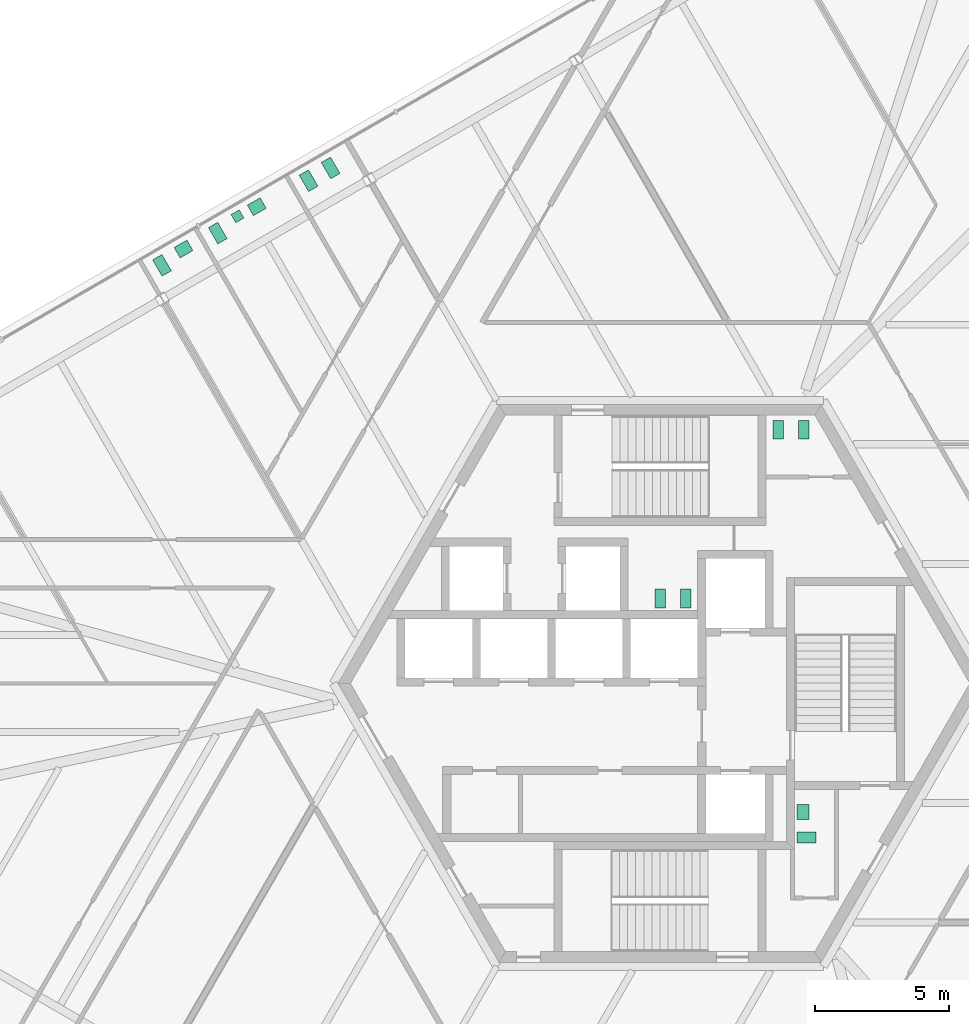
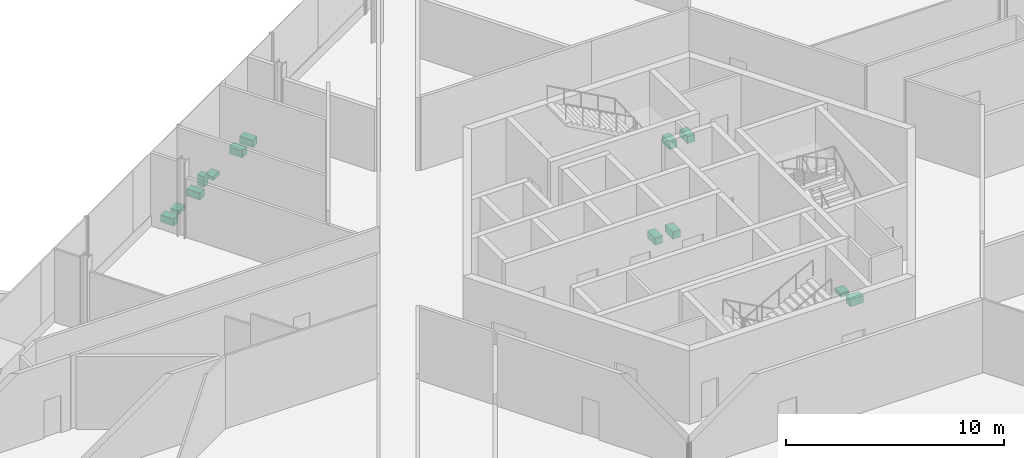
# One storey, part 17 of 17: 13 sanitary terminals.
"""IFC4 building model written with IfcOpenShell, lengths in metres."""

import ifcopenshell
import ifcopenshell.guid

model = None  # the IFC model being written
_history = None  # IfcOwnerHistory: only IFC2X3 demands one
_inside = {}  # id of a spatial element -> (the spatial element, [elements in it])
_under = {}  # id of a project, library or spatial element -> (it, [spatial elements below it])
_declared = {}  # id of a project -> (the project, [libraries it declares])
_typed = {}  # id of a type object -> (the type object, [elements of that type])
_made_of = {}  # id of a material, layer set ... -> (it, [elements and type objects made of it])


def new_model(schema):
    """Start an empty IFC model of exactly this schema.

    Asked for "IFC4X3", IfcOpenShell would pick the latest addendum, in which some entities
    have other attributes; the version numbers below select the first issue.
    IFC2X3 requires an IfcOwnerHistory on every rooted entity: one is made here for all.
    """
    global model, _history
    if schema == "IFC4X3":
        model = ifcopenshell.file(schema_version=(4, 3, 0, 0))
    else:
        model = ifcopenshell.file(schema=schema)
    _inside.clear()
    _under.clear()
    _declared.clear()
    _typed.clear()
    _made_of.clear()
    _history = None
    if model.schema == "IFC2X3":
        org = make("IfcOrganization", Name="unknown")
        user = make(
            "IfcPersonAndOrganization",
            ThePerson=make("IfcPerson", FamilyName="unknown"),
            TheOrganization=org,
        )
        app = make(
            "IfcApplication",
            ApplicationDeveloper=org,
            Version="unknown",
            ApplicationFullName="unknown",
            ApplicationIdentifier="unknown",
        )
        _history = make(
            "IfcOwnerHistory",
            OwningUser=user,
            OwningApplication=app,
            ChangeAction="ADDED",
            CreationDate=0,
        )
    return model


def make(cls, **values):
    """One entity of the class cls with the attributes given. An attribute that is None is left unset."""
    return model.create_entity(
        cls, **{name: value for name, value in values.items() if value is not None}
    )


def rooted(cls, **values):
    """An entity with a GlobalId (a new one), such as an element, a storey or a relation."""
    return make(cls, GlobalId=ifcopenshell.guid.new(), OwnerHistory=_history, **values)


def si_unit(unit_type, name, prefix=None):
    """IfcSIUnit, for example si_unit("LENGTHUNIT", "METRE", prefix="MILLI")."""
    return make("IfcSIUnit", UnitType=unit_type, Prefix=prefix, Name=name)


def assignment(units):
    """IfcUnitAssignment: the units of a project."""
    return None if units is None else make("IfcUnitAssignment", Units=units)


def point(xyz):
    """IfcCartesianPoint."""
    return None if xyz is None else make("IfcCartesianPoint", Coordinates=xyz)


def direction(xyz):
    """IfcDirection."""
    return None if xyz is None else make("IfcDirection", DirectionRatios=xyz)


def frame(location, z_axis=None, x_axis=None):
    """IfcAxis2Placement3D, a coordinate frame: its origin and axes. An axis left out is left unset."""
    return make(
        "IfcAxis2Placement3D",
        Location=point(location),
        Axis=direction(z_axis),
        RefDirection=direction(x_axis),
    )


def frame_2d(location, x_axis=None):
    """IfcAxis2Placement2D, a coordinate frame in the plane: its origin and x axis."""
    return make(
        "IfcAxis2Placement2D", Location=point(location), RefDirection=direction(x_axis)
    )


def origin():
    """The frame at (0, 0, 0) with its axes left unset."""
    return frame((0.0, 0.0, 0.0))


def origin_2d():
    """The frame at (0, 0) in the plane with its x axis left unset."""
    return frame_2d((0.0, 0.0))


def place(relative_to, where):
    """IfcLocalPlacement: puts the frame where relative to a parent placement (None: the world)."""
    return make(
        "IfcLocalPlacement", PlacementRelTo=relative_to, RelativePlacement=where
    )


def context(
    kind, dimensions, precision=None, world=None, true_north=None, identifier=None
):
    """IfcGeometricRepresentationContext, for example the 3D "Model" context."""
    return make(
        "IfcGeometricRepresentationContext",
        ContextIdentifier=identifier,
        ContextType=kind,
        CoordinateSpaceDimension=dimensions,
        Precision=precision,
        WorldCoordinateSystem=world,
        TrueNorth=true_north,
    )


def subcontext(parent, identifier, kind, view, scale=None):
    """IfcGeometricRepresentationSubContext, for example "Body" below "Model"."""
    return make(
        "IfcGeometricRepresentationSubContext",
        ContextIdentifier=identifier,
        ContextType=kind,
        ParentContext=parent,
        TargetScale=scale,
        TargetView=view,
    )


def project(units=None, contexts=None):
    """IfcProject with its units and contexts."""
    return rooted(
        "IfcProject",
        Name="project",
        RepresentationContexts=contexts,
        UnitsInContext=assignment(units),
    )


def spatial(cls, under=None, at=None, **own):
    """A site, building, storey or space (cls), placed at a placement, below another one or the project."""
    s = rooted(cls, ObjectPlacement=at, **own)
    if under is not None:
        _under.setdefault(under.id(), (under, []))[1].append(s)
    return s


def profile(cls, at=None, kind="AREA", **sizes):
    """A parametric profile (cls). Its sizes go by their IFC names, for example OverallWidth=200.0."""
    return make(cls, ProfileType=kind, Position=at, **sizes)


def rectangle(**sizes):
    """IfcRectangleProfileDef."""
    return profile("IfcRectangleProfileDef", **sizes)


def extrude(swept, where, along, depth):
    """IfcExtrudedAreaSolid: the profile swept, set in the frame where, extruded along a direction by depth."""
    return make(
        "IfcExtrudedAreaSolid",
        SweptArea=swept,
        Position=where,
        ExtrudedDirection=direction(along),
        Depth=depth,
    )


def shape(context_of_items, identifier, shape_type, items):
    """IfcShapeRepresentation: the items that make up one representation, for example the "Body"."""
    return make(
        "IfcShapeRepresentation",
        ContextOfItems=context_of_items,
        RepresentationIdentifier=identifier,
        RepresentationType=shape_type,
        Items=items,
    )


def source(mapping_origin, context_of_items, identifier, shape_type, items):
    """IfcRepresentationMap: a shape defined once, which mapped items show again and again."""
    return make(
        "IfcRepresentationMap",
        MappingOrigin=mapping_origin,
        MappedRepresentation=shape(context_of_items, identifier, shape_type, items),
    )


def transform(
    local_origin,
    x_axis=None,
    y_axis=None,
    z_axis=None,
    scale=None,
    scale2=None,
    scale3=None,
    uniform=True,
):
    """IfcCartesianTransformationOperator3D, or its non-uniform kind. x_axis, y_axis, z_axis: its Axis1, 2, 3."""
    if uniform:
        return make(
            "IfcCartesianTransformationOperator3D",
            Axis1=direction(x_axis),
            Axis2=direction(y_axis),
            LocalOrigin=point(local_origin),
            Scale=scale,
            Axis3=direction(z_axis),
        )
    return make(
        "IfcCartesianTransformationOperator3DnonUniform",
        Axis1=direction(x_axis),
        Axis2=direction(y_axis),
        LocalOrigin=point(local_origin),
        Scale=scale,
        Axis3=direction(z_axis),
        Scale2=scale2,
        Scale3=scale3,
    )


def mapped(mapping_source, mapping_target):
    """IfcMappedItem: shows the shape of a source again, moved by a transform."""
    return make(
        "IfcMappedItem", MappingSource=mapping_source, MappingTarget=mapping_target
    )


def material(Name=None, Category=None):
    """IfcMaterial."""
    return make("IfcMaterial", Name=Name, Category=Category)


def made_of(thing, what):
    """Note that an element or type object is made of a material, layer set ...; save() writes the relation."""
    if what is not None:
        _made_of.setdefault(what.id(), (what, []))[1].append(thing)
    return thing


def element(
    cls,
    number,
    at=None,
    inside=None,
    cuts=None,
    type_object=None,
    material=None,
    context=None,
    identifier="Body",
    shape_type=None,
    held_by="IfcProductDefinitionShape",
    body=None,
    shapes=None,
    **own,
):
    """One element of the class cls, such as IfcWall. Its Tag is "e" and its number.

    at: its placement. inside: the storey or other place that contains it. cuts: it is an
    opening in that element (IfcRelVoidsElement). A single representation is given by context,
    identifier, shape_type and body (its items); several are given by shapes. held_by: the class
    of the entity that holds the representations. save() writes the other relations.
    """
    e = rooted(cls, Tag="e%d" % number, ObjectPlacement=at, **own)
    if body is not None:
        shapes = [shape(context, identifier, shape_type, body)]
    if shapes is not None:
        e.Representation = make(held_by, Representations=shapes)
    if inside is not None:
        _inside.setdefault(inside.id(), (inside, []))[1].append(e)
    if cuts is not None:
        rooted(
            "IfcRelVoidsElement", RelatingBuildingElement=cuts, RelatedOpeningElement=e
        )
    if type_object is not None:
        _typed.setdefault(type_object.id(), (type_object, []))[1].append(e)
    return made_of(e, material)


def aggregate(whole, parts):
    """IfcRelAggregates: a whole, such as a stair, and the parts it consists of."""
    return rooted("IfcRelAggregates", RelatingObject=whole, RelatedObjects=parts)


def save(model, path):
    """Write the relations noted so far, then the file.

    IfcRelAggregates (storeys below a building ...), IfcRelContainedInSpatialStructure (elements
    in a storey), IfcRelDefinesByType, IfcRelAssociatesMaterial and IfcRelDeclares: one each for
    every whole, place, type object, material and project.
    """
    for whole, parts in _under.values():
        aggregate(whole, parts)
    for where, things in _inside.values():
        rooted(
            "IfcRelContainedInSpatialStructure",
            RelatedElements=things,
            RelatingStructure=where,
        )
    for kind, things in _typed.values():
        rooted("IfcRelDefinesByType", RelatedObjects=things, RelatingType=kind)
    for what, things in _made_of.values():
        rooted("IfcRelAssociatesMaterial", RelatedObjects=things, RelatingMaterial=what)
    for by, libraries in _declared.values():
        rooted("IfcRelDeclares", RelatingContext=by, RelatedDefinitions=libraries)
    model.write(path)


model = new_model("IFC4")

# Units and contexts
model_context = context("Model", 3, precision=1e-05, world=origin(), true_north=direction((0.0, 1.0)))
body_context = subcontext(model_context, "Body", "Model", "MODEL_VIEW")
ifc_project = project(units=[si_unit("LENGTHUNIT", "METRE"), si_unit("AREAUNIT", "SQUARE_METRE"), si_unit("VOLUMEUNIT", "CUBIC_METRE"), si_unit("PLANEANGLEUNIT", "RADIAN"), si_unit("MASSUNIT", "GRAM", prefix="KILO")], contexts=[model_context])

# Site, building, storey
site_placement = place(None, origin())
site = spatial("IfcSite", under=ifc_project, at=site_placement, CompositionType="ELEMENT")
building_placement = place(site_placement, origin())
building = spatial("IfcBuilding", under=site, at=building_placement, Name="Triune Harvest Tower", CompositionType="ELEMENT")
storey_placement = place(building_placement, frame((0.0, 0.0, 46.10009765625)))
storey = spatial("IfcBuildingStorey", under=building, at=storey_placement, Name="L10", CompositionType="ELEMENT", Elevation=46.10009765625)

# Sanitary terminals
ifc_material = material(Name="Vitreous china")
shared_shape_1 = source(origin(), body_context, "Body", "SweptSolid", [
    extrude(rectangle(XDim=0.39990234375, YDim=0.699951171875, at=origin_2d()), origin(), (0.0, 0.0, 1.0), 0.39990234375),
])
for number, where, z_axis, x_axis, name in (
    (1, (4.39990234375, 9.449951171875, 0.0), (0.0, 0.0, 1.0), (1.0, 0.0, 0.0), "Toilet pan L10.c01"),
    (2, (5.35009765625, 9.449951171875, 0.0), (0.0, 0.0, 1.0), (1.0, 0.0, 0.0), "Toilet pan L10.c02"),
    (3, (0.949951171875, 3.159912109375, 0.0), (0.0, 0.0, 1.0), (-1.0, 0.0, 0.0), "Toilet pan L10.c03"),
    (4, (0.0, 3.159912109375, 0.0), (0.0, 0.0, 1.0), (-1.0, 0.0, 0.0), "Toilet pan L10.c04"),
    (5, (5.449951171875, -5.739990234375, 0.0), (0.0, 0.0, 1.0), (0.0, 1.0, 0.0), "Toilet pan L10.c05"),
    (6, (-13.099609375, 18.731201171875, 0.0), (0.0, 0.0, 1.0), (0.866025403784, 0.5, 0.0), "Toilet pan 01"),
    (7, (-12.27685546875, 19.2060546875, 0.0), (0.0, 0.0, 1.0), (0.866025403784, 0.5, 0.0), "Toilet pan 02"),
    (8, (-16.482177734375, 16.778076171875, 0.0), (0.0, 0.0, 1.0), (0.866034130299, 0.499984884929, 0.0), "Toilet pan 03"),
    (9, (-18.560791015625, 15.578125, 0.0), (0.0, 0.0, 1.0), (0.866034130299, 0.499984884929, 0.0), "Toilet pan 06"),
):
    element("IfcSanitaryTerminal", number, at=place(storey_placement, frame(where, z_axis=z_axis, x_axis=x_axis)), inside=storey, material=ifc_material, Name=name, PredefinedType="TOILETPAN", context=body_context, shape_type="MappedRepresentation", body=[
        mapped(shared_shape_1, transform((0.0, 0.0, 0.0), scale=1.0)),
    ])
shared_shape_2 = source(origin(), body_context, "Body", "SweptSolid", [
    extrude(rectangle(XDim=0.35009765625, YDim=0.35009765625, at=origin_2d()), origin(), (0.0, 0.0, 1.0), 0.60009765625),
])
sanitary_terminal_placement = place(storey_placement, frame((-15.7470703125, 17.40478515625, -0.000244140625), z_axis=(0.0, 0.0, 1.0), x_axis=(0.866034130299, 0.499984884929, 0.0)))
element("IfcSanitaryTerminal", 10, at=sanitary_terminal_placement, inside=storey, material=ifc_material, Name="Urinal 04", PredefinedType="URINAL", context=body_context, shape_type="MappedRepresentation", body=[
    mapped(shared_shape_2, transform((0.0, 0.0, 0.0), scale=1.0)),
])
shared_shape_3 = source(origin(), body_context, "Body", "SweptSolid", [
    extrude(rectangle(XDim=0.550048828125, YDim=0.449951171875, at=origin_2d()), origin(), (0.0, 0.0, 1.0), 0.199951171875),
])
for number, where, z_axis, x_axis, name in (
    (11, (5.324951171875, -4.7900390625, 0.0), (0.0, 0.0, 1.0), (0.0, 1.0, 0.0), "Wash basin L10.c06"),
    (12, (-15.029052734375, 17.761474609375, 0.0), (0.0, 0.0, 1.0), (0.866034130299, 0.499984884929, 0.0), "Wash basin 05"),
    (13, (-17.757080078125, 16.186279296875, 0.0), (0.0, 0.0, 1.0), (0.866034130299, 0.499984884929, 0.0), "Wash basin 07"),
):
    element("IfcSanitaryTerminal", number, at=place(storey_placement, frame(where, z_axis=z_axis, x_axis=x_axis)), inside=storey, material=ifc_material, Name=name, PredefinedType="WASHHANDBASIN", context=body_context, shape_type="MappedRepresentation", body=[
        mapped(shared_shape_3, transform((0.0, 0.0, 0.0), scale=1.0)),
    ])

save(model, "model.ifc")
